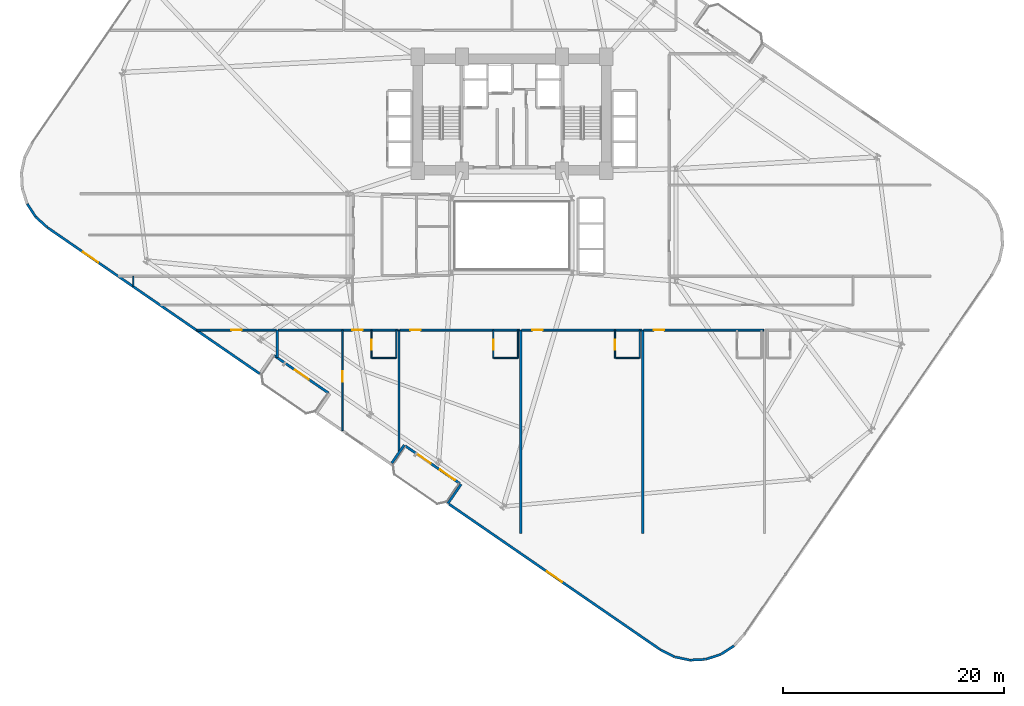
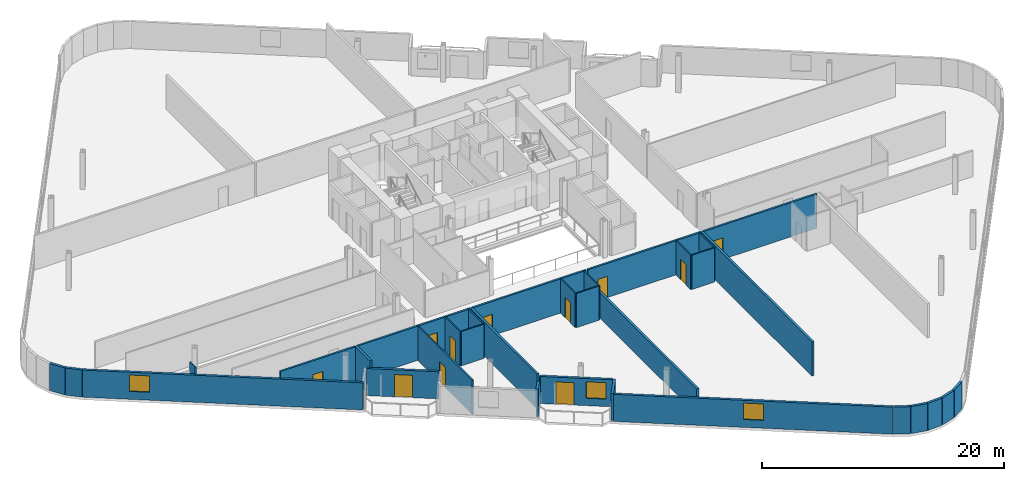
# One storey, part 17 of 24: 33 walls, 11 doors, 3 windows, 14 openings.
"""IFC4 building model written with IfcOpenShell, lengths in metres."""

from ifc_helpers import new_model, si_unit, direction, frame, frame_2d, origin, place, context, subcontext, project, spatial, rectangle, extrude, material, layer, layer_set, type_object, element, fill, save


model = new_model("IFC4")

# Units and contexts
model_context = context("Model", 3, precision=1e-05, world=origin(), true_north=direction((0.0, 1.0)))
body_context = subcontext(model_context, "Body", "Model", "MODEL_VIEW")
ifc_project = project(units=[si_unit("LENGTHUNIT", "METRE"), si_unit("AREAUNIT", "SQUARE_METRE"), si_unit("VOLUMEUNIT", "CUBIC_METRE"), si_unit("PLANEANGLEUNIT", "RADIAN"), si_unit("MASSUNIT", "GRAM", prefix="KILO")], contexts=[model_context])

# Site, building, storey
site_placement = place(None, origin())
site = spatial("IfcSite", under=ifc_project, at=site_placement, CompositionType="ELEMENT")
building_placement = place(site_placement, origin())
building = spatial("IfcBuilding", under=site, at=building_placement, Name="Varnelok Gate Tower", CompositionType="ELEMENT")
storey_placement = place(building_placement, frame((0.0, 0.0, 38.10009765625)))
storey = spatial("IfcBuildingStorey", under=building, at=storey_placement, Name="L08", CompositionType="ELEMENT", Elevation=38.10009765625)

# Wall, opening, door
ifc_material_1 = material(Name="Concrete C45/55", Category="concrete")
ifc_layer_1 = layer(ifc_material_1, 0.219970703125)
ifc_layer_set_1 = layer_set([ifc_layer_1], Name="Concrete C45/55")
wall_type_1 = type_object("IfcWallType", Name="EW-BALC-220", PredefinedType="SOLIDWALL", material=ifc_layer_set_1)
wall_1_placement = place(storey_placement, frame((22.642822265625, 8.667236328125, 0.0), z_axis=(0.0, 0.0, 1.0), x_axis=(-0.823534636215, 0.567265989598, 0.0)))
wall_1 = element("IfcWall", 1, at=wall_1_placement, inside=storey, type_object=wall_type_1, Name="L08 South Terrace Envelope Wall 1", PredefinedType="SOLIDWALL", context=body_context, shape_type="SweptSolid", body=[
    extrude(rectangle(XDim=6.0, YDim=0.219970703125, at=frame_2d((3.0, 0.0))), origin(), (0.0, 0.0, 1.0), 2.72998046875),
])
opening_1_placement = place(wall_1_placement, frame((2.176025390625, 0.0, 0.0)))
opening_1 = element("IfcOpeningElement", 2, at=opening_1_placement, cuts=wall_1, Name="Opening BD-1", PredefinedType="OPENING", context=body_context, shape_type="SweptSolid", body=[
    extrude(rectangle(XDim=1.5, YDim=2.25, at=frame_2d((0.75, 1.125))), frame((0.0, 0.119873046875, 0.0), z_axis=(0.0, -1.0, 0.0), x_axis=(1.0, 0.0, 0.0)), (0.0, 0.0, 1.0), 0.239990234375),
])
ifc_material_2 = material(Name="Anodized Aluminum Alloy 6063-T6", Category="aluminium")
door_type_1 = type_object("IfcDoorType", Name="DR-EXT-BALC1500", OperationType="NOTDEFINED", PredefinedType="DOOR", material=ifc_material_2)
door_1_placement = place(opening_1_placement, origin())
door_1 = element("IfcDoor", 3, at=door_1_placement, inside=storey, type_object=door_type_1, Name="L08 South Balcony Glazed Door 1", OperationType="SINGLE_SWING_RIGHT", OverallHeight=2.25, OverallWidth=1.5, PredefinedType="DOOR", context=body_context, shape_type="SweptSolid", body=[
    extrude(rectangle(XDim=1.5, YDim=2.25, at=frame_2d((0.75, 1.125))), frame((0.0, 0.02490234375, 0.0), z_axis=(0.0, -1.0, 0.0), x_axis=(1.0, 0.0, 0.0)), (0.0, 0.0, 1.0), 0.050048828125),
])
fill(opening_1, door_1)

# Wall, openings, door, window
wall_2_placement = place(storey_placement, frame((34.501708984375, 0.49853515625, 0.0), z_axis=(0.0, 0.0, 1.0), x_axis=(-0.823534636215, 0.567265989598, 0.0)))
wall_2 = element("IfcWall", 4, at=wall_2_placement, inside=storey, type_object=wall_type_1, Name="L08 South Terrace Envelope Wall 2", PredefinedType="SOLIDWALL", context=body_context, shape_type="SweptSolid", body=[
    extrude(rectangle(XDim=6.0, YDim=0.219970703125, at=frame_2d((3.0, 0.0))), origin(), (0.0, 0.0, 1.0), 2.72998046875),
])
opening_2_placement = place(wall_2_placement, frame((3.2119140625, 0.0, 0.0)))
opening_2 = element("IfcOpeningElement", 5, at=opening_2_placement, cuts=wall_2, Name="Opening BD-1", PredefinedType="OPENING", context=body_context, shape_type="SweptSolid", body=[
    extrude(rectangle(XDim=1.5, YDim=2.25, at=frame_2d((0.75, 1.125))), frame((0.0, 0.119873046875, 0.0), z_axis=(0.0, -1.0, 0.0), x_axis=(1.0, 0.0, 0.0)), (0.0, 0.0, 1.0), 0.239990234375),
])
opening_3_placement = place(wall_2_placement, frame((0.550048828125, 0.0, 0.75)))
opening_3 = element("IfcOpeningElement", 6, at=opening_3_placement, cuts=wall_2, Name="Opening WN3", PredefinedType="OPENING", context=body_context, shape_type="SweptSolid", body=[
    extrude(rectangle(XDim=1.64990234375, YDim=1.64990234375, at=frame_2d((0.824951171875, 0.824951171875))), frame((0.0, 0.119873046875, 0.0), z_axis=(0.0, -1.0, 0.0), x_axis=(1.0, 0.0, 0.0)), (0.0, 0.0, 1.0), 0.239990234375),
])
door_2_placement = place(opening_2_placement, origin())
door_2 = element("IfcDoor", 7, at=door_2_placement, inside=storey, type_object=door_type_1, Name="L08 South Balcony Glazed Door 2", OperationType="SINGLE_SWING_LEFT", OverallHeight=2.25, OverallWidth=1.5, PredefinedType="DOOR", context=body_context, shape_type="SweptSolid", body=[
    extrude(rectangle(XDim=1.5, YDim=2.25, at=frame_2d((0.75, 1.125))), frame((0.0, 0.02490234375, 0.0), z_axis=(0.0, -1.0, 0.0), x_axis=(1.0, 0.0, 0.0)), (0.0, 0.0, 1.0), 0.050048828125),
])
fill(opening_2, door_2)
ifc_material_3 = material(Name="Low-E Laminated Double Glazing IGU", Category="glass")
window_type = type_object("IfcWindowType", Name="WN-HTL-1650", PartitioningType="SINGLE_PANEL", PredefinedType="WINDOW", material=ifc_material_3)
window_1_placement = place(opening_3_placement, origin())
window_1 = element("IfcWindow", 8, at=window_1_placement, inside=storey, type_object=window_type, Name="L08 South Vision Window 2.1", OverallHeight=1.64990234375, OverallWidth=1.64990234375, PartitioningType="SINGLE_PANEL", PredefinedType="WINDOW", context=body_context, shape_type="SweptSolid", body=[
    extrude(rectangle(XDim=1.64990234375, YDim=1.64990234375, at=frame_2d((0.824951171875, 0.824951171875))), frame((0.0, 0.030029296875, 0.0), z_axis=(0.0, -1.0, 0.0), x_axis=(1.0, 0.0, 0.0)), (0.0, 0.0, 1.0), 0.06005859375),
])
fill(opening_3, window_1)

# Walls
wall_3_placement = place(storey_placement, frame((-4.580078125, 25.76220703125, 0.0), z_axis=(0.0, 0.0, 1.0), x_axis=(0.543748195851, -0.839248413468, 0.0)))
element("IfcWall", 9, at=wall_3_placement, inside=storey, type_object=wall_type_1, Name="L08 Perimeter Facade Closure Wall 5", PredefinedType="SOLIDWALL", context=body_context, shape_type="SweptSolid", body=[
    extrude(rectangle(XDim=1.4052734375, YDim=0.219970703125, at=frame_2d((0.70263671875, 0.0))), origin(), (0.0, 0.0, 1.0), 2.72998046875),
])
wall_4_placement = place(storey_placement, frame((-3.79736328125, 24.56591796875, 0.0), z_axis=(0.0, 0.0, 1.0), x_axis=(0.742537711837, -0.66980425984, 0.0)))
element("IfcWall", 10, at=wall_4_placement, inside=storey, type_object=wall_type_1, Name="L08 Perimeter Facade Closure Wall 6", PredefinedType="SOLIDWALL", context=body_context, shape_type="SweptSolid", body=[
    extrude(rectangle(XDim=1.4130859375, YDim=0.219970703125, at=frame_2d((0.70654296875, 0.0))), origin(), (0.0, 0.0, 1.0), 2.72998046875),
])

# Wall, opening, window
wall_5_placement = place(storey_placement, frame((-2.7275390625, 23.60498046875, 0.0), z_axis=(0.0, 0.0, 1.0), x_axis=(0.823535075462, -0.567265351915, 0.0)))
wall_5 = element("IfcWall", 11, at=wall_5_placement, inside=storey, type_object=wall_type_1, Name="L08 Perimeter Facade Closure Wall 7", PredefinedType="SOLIDWALL", context=body_context, shape_type="SweptSolid", body=[
    extrude(rectangle(XDim=23.2470703125, YDim=0.219970703125, at=frame_2d((11.62353515625, 0.0))), origin(), (0.0, 0.0, 1.0), 2.72998046875),
])
opening_4_placement = place(wall_5_placement, frame((3.887451171875, 0.0, 0.800048828125)))
opening_4 = element("IfcOpeningElement", 12, at=opening_4_placement, cuts=wall_5, Name="Opening WN3", PredefinedType="OPENING", context=body_context, shape_type="SweptSolid", body=[
    extrude(rectangle(XDim=1.64990234375, YDim=1.64990234375, at=frame_2d((0.824951171875, 0.824951171875))), frame((0.0, 0.119873046875, 0.0), z_axis=(0.0, -1.0, 0.0), x_axis=(1.0, 0.0, 0.0)), (0.0, 0.0, 1.0), 0.239990234375),
])
window_2_placement = place(opening_4_placement, origin())
window_2 = element("IfcWindow", 13, at=window_2_placement, inside=storey, type_object=window_type, Name="L08 Perimeter Vision Window 7", OverallHeight=1.64990234375, OverallWidth=1.64990234375, PartitioningType="SINGLE_PANEL", PredefinedType="WINDOW", context=body_context, shape_type="SweptSolid", body=[
    extrude(rectangle(XDim=1.64990234375, YDim=1.64990234375, at=frame_2d((0.824951171875, 0.824951171875))), frame((0.0, 0.030029296875, 0.0), z_axis=(0.0, -1.0, 0.0), x_axis=(1.0, 0.0, 0.0)), (0.0, 0.0, 1.0), 0.06005859375),
])
fill(opening_4, window_2)

# Walls
wall_6_placement = place(storey_placement, frame((28.34716796875, 2.351806640625, 0.0), z_axis=(0.0, 0.0, 1.0), x_axis=(0.567215821234, 0.823569190865, 0.0)))
element("IfcWall", 14, at=wall_6_placement, inside=storey, type_object=wall_type_1, Name="L08 Perimeter Facade Closure Wall 11", PredefinedType="SOLIDWALL", context=body_context, shape_type="SweptSolid", body=[
    extrude(rectangle(XDim=1.97509765625, YDim=0.219970703125, at=frame_2d((0.987548828125, 0.0))), origin(), (0.0, 0.0, 1.0), 2.72998046875),
])
wall_7_placement = place(storey_placement, frame((34.606201171875, 0.438720703125, 0.0), z_axis=(0.0, 0.0, 1.0), x_axis=(-0.567219383419, -0.823566737474, 0.0)))
element("IfcWall", 15, at=wall_7_placement, inside=storey, type_object=wall_type_1, Name="L08 Perimeter Facade Closure Wall 12", PredefinedType="SOLIDWALL", context=body_context, shape_type="SweptSolid", body=[
    extrude(rectangle(XDim=2.10009765625, YDim=0.219970703125, at=frame_2d((1.050048828125, 0.0))), origin(), (0.0, 0.0, 1.0), 2.72998046875),
])

# Wall, opening, window
wall_8_placement = place(storey_placement, frame((33.517822265625, -1.36181640625, 0.0), z_axis=(0.0, 0.0, 1.0), x_axis=(0.82353935489, -0.567259139148, 0.0)))
wall_8 = element("IfcWall", 16, at=wall_8_placement, inside=storey, type_object=wall_type_1, Name="L08 Perimeter Facade Closure Wall 13", PredefinedType="SOLIDWALL", context=body_context, shape_type="SweptSolid", body=[
    extrude(rectangle(XDim=23.14697265625, YDim=0.219970703125, at=frame_2d((11.573486328125, 0.0))), origin(), (0.0, 0.0, 1.0), 2.72998046875),
])
opening_5_placement = place(wall_8_placement, frame((10.74853515625, 0.0, 0.800048828125)))
opening_5 = element("IfcOpeningElement", 17, at=opening_5_placement, cuts=wall_8, Name="Opening WN3", PredefinedType="OPENING", context=body_context, shape_type="SweptSolid", body=[
    extrude(rectangle(XDim=1.64990234375, YDim=1.64990234375, at=frame_2d((0.824951171875, 0.824951171875))), frame((0.0, 0.119873046875, 0.0), z_axis=(0.0, -1.0, 0.0), x_axis=(1.0, 0.0, 0.0)), (0.0, 0.0, 1.0), 0.239990234375),
])
window_3_placement = place(opening_5_placement, origin())
window_3 = element("IfcWindow", 18, at=window_3_placement, inside=storey, type_object=window_type, Name="L08 Perimeter Vision Window 13", OverallHeight=1.64990234375, OverallWidth=1.64990234375, PartitioningType="SINGLE_PANEL", PredefinedType="WINDOW", context=body_context, shape_type="SweptSolid", body=[
    extrude(rectangle(XDim=1.64990234375, YDim=1.64990234375, at=frame_2d((0.824951171875, 0.824951171875))), frame((0.0, 0.030029296875, 0.0), z_axis=(0.0, -1.0, 0.0), x_axis=(1.0, 0.0, 0.0)), (0.0, 0.0, 1.0), 0.06005859375),
])
fill(opening_5, window_3)

# Walls
wall_9_placement = place(storey_placement, frame((52.602783203125, -14.503662109375, 0.0), z_axis=(0.0, 0.0, 1.0), x_axis=(0.89052335693, -0.45493752402, 0.0)))
element("IfcWall", 19, at=wall_9_placement, inside=storey, type_object=wall_type_1, Name="L08 Perimeter Facade Closure Wall 14", PredefinedType="SOLIDWALL", context=body_context, shape_type="SweptSolid", body=[
    extrude(rectangle(XDim=1.4130859375, YDim=0.219970703125, at=frame_2d((0.70654296875, 0.0))), origin(), (0.0, 0.0, 1.0), 2.72998046875),
])
for number, where, z_axis, x_axis, name in (
    (20, (53.8857421875, -15.15185546875, 0.0), (0.0, 0.0, 1.0), (0.977952168511, -0.208829011645, 0.0), "L08 Perimeter Facade Closure Wall 15"),
    (21, (55.284912109375, -15.444091796875, 0.0), (0.0, 0.0, 1.0), (0.998685611917, 0.051254741739, 0.0), "L08 Perimeter Facade Closure Wall 16"),
    (22, (56.712158203125, -15.364501953125, 0.0), (0.0, 0.0, 1.0), (0.95132472924, 0.308190297603, 0.0), "L08 Perimeter Facade Closure Wall 17"),
    (23, (58.070068359375, -14.91796875, 0.0), (0.0, 0.0, 1.0), (0.839248413468, 0.543748195851, 0.0), "L08 Perimeter Facade Closure Wall 18"),
):
    element("IfcWall", number, at=place(storey_placement, frame(where, z_axis=z_axis, x_axis=x_axis)), inside=storey, type_object=wall_type_1, Name=name, PredefinedType="SOLIDWALL", context=body_context, shape_type="SweptSolid", body=[
        extrude(rectangle(XDim=1.4052734375, YDim=0.219970703125, at=frame_2d((0.70263671875, 0.0))), origin(), (0.0, 0.0, 1.0), 2.72998046875),
    ])

# Wall, opening, door
ifc_material_4 = material(Name="Gypsum Plasterboard Acoustic Partition", Category="gypsum")
ifc_layer_2 = layer(ifc_material_4, 0.179931640625)
ifc_layer_set_2 = layer_set([ifc_layer_2], Name="Gypsum Plasterboard Acoustic Partition")
wall_type_2 = type_object("IfcWallType", Name="PW-CORR-180", PredefinedType="PARTITIONING", material=ifc_layer_set_2)
wall_10_placement = place(storey_placement, frame((10.743896484375, 14.35009765625, 0.0), z_axis=(0.0, 0.0, 1.0), x_axis=(1.0, 0.0, 0.0)))
wall_10 = element("IfcWall", 24, at=wall_10_placement, inside=storey, type_object=wall_type_2, Name="Interior Partition", PredefinedType="PARTITIONING", context=body_context, shape_type="SweptSolid", body=[
    extrude(rectangle(XDim=7.176025390625, YDim=0.179931640625, at=frame_2d((3.587890625, 0.0))), origin(), (0.0, 0.0, 1.0), 3.449951171875),
])
opening_6_placement = place(wall_10_placement, frame((3.113037109375, 0.0, 0.0)))
opening_6 = element("IfcOpeningElement", 25, at=opening_6_placement, cuts=wall_10, Name="Opening D-I2", PredefinedType="OPENING", context=body_context, shape_type="SweptSolid", body=[
    extrude(rectangle(XDim=0.949951171875, YDim=2.050048828125, at=frame_2d((0.47509765625, 1.02490234375))), frame((0.0, 0.099853515625, 0.0), z_axis=(0.0, -1.0, 0.0), x_axis=(1.0, 0.0, 0.0)), (0.0, 0.0, 1.0), 0.199951171875),
])
ifc_material_5 = material(Name="Engineered Hardwood Timber", Category="wood")
door_type_2 = type_object("IfcDoorType", Name="DR-INT-950", OperationType="NOTDEFINED", PredefinedType="DOOR", material=ifc_material_5)
door_3_placement = place(opening_6_placement, origin())
door_3 = element("IfcDoor", 26, at=door_3_placement, inside=storey, type_object=door_type_2, Name="L08 Wellness Spa Lounge Door", OperationType="SINGLE_SWING_LEFT", OverallHeight=2.050048828125, OverallWidth=0.949951171875, PredefinedType="DOOR", context=body_context, shape_type="SweptSolid", body=[
    extrude(rectangle(XDim=0.949951171875, YDim=2.050048828125, at=frame_2d((0.47509765625, 1.02490234375))), frame((0.0, 0.02490234375, 0.0), z_axis=(0.0, -1.0, 0.0), x_axis=(1.0, 0.0, 0.0)), (0.0, 0.0, 1.0), 0.050048828125),
])
fill(opening_6, door_3)

wall_11_placement = place(storey_placement, frame((18.080078125, 14.35009765625, 0.0), z_axis=(0.0, 0.0, 1.0), x_axis=(1.0, 0.0, 0.0)))
wall_11 = element("IfcWall", 27, at=wall_11_placement, inside=storey, type_object=wall_type_2, Name="Interior Partition", PredefinedType="PARTITIONING", context=body_context, shape_type="SweptSolid", body=[
    extrude(rectangle(XDim=10.83984375, YDim=0.179931640625, at=frame_2d((5.419921875, 0.0))), origin(), (0.0, 0.0, 1.0), 3.449951171875),
])
opening_7_placement = place(wall_11_placement, frame((6.679931640625, 0.0, 0.0)))
opening_7 = element("IfcOpeningElement", 28, at=opening_7_placement, cuts=wall_11, Name="Opening D-HT", PredefinedType="OPENING", context=body_context, shape_type="SweptSolid", body=[
    extrude(rectangle(XDim=0.949951171875, YDim=2.14990234375, at=frame_2d((0.47509765625, 1.074951171875))), frame((0.0, 0.099853515625, 0.0), z_axis=(0.0, -1.0, 0.0), x_axis=(1.0, 0.0, 0.0)), (0.0, 0.0, 1.0), 0.199951171875),
])
door_type_3 = type_object("IfcDoorType", Name="DR-HTL-950", OperationType="NOTDEFINED", PredefinedType="DOOR", material=ifc_material_5)
door_4_placement = place(opening_7_placement, origin())
door_4 = element("IfcDoor", 29, at=door_4_placement, inside=storey, type_object=door_type_3, Name="L08 Guest Room 02 Entrance Door", OperationType="SINGLE_SWING_LEFT", OverallHeight=2.14990234375, OverallWidth=0.949951171875, PredefinedType="DOOR", context=body_context, shape_type="SweptSolid", body=[
    extrude(rectangle(XDim=0.949951171875, YDim=2.14990234375, at=frame_2d((0.47509765625, 1.074951171875))), frame((0.0, 0.02490234375, 0.0), z_axis=(0.0, -1.0, 0.0), x_axis=(1.0, 0.0, 0.0)), (0.0, 0.0, 1.0), 0.050048828125),
])
fill(opening_7, door_4)

wall_12_placement = place(storey_placement, frame((29.080078125, 14.35009765625, 0.0), z_axis=(0.0, 0.0, 1.0), x_axis=(1.0, 0.0, 0.0)))
wall_12 = element("IfcWall", 30, at=wall_12_placement, inside=storey, type_object=wall_type_2, Name="Interior Partition", PredefinedType="PARTITIONING", context=body_context, shape_type="SweptSolid", body=[
    extrude(rectangle(XDim=10.83984375, YDim=0.179931640625, at=frame_2d((5.419921875, 0.0))), origin(), (0.0, 0.0, 1.0), 3.449951171875),
])
opening_8_placement = place(wall_12_placement, frame((0.926025390625, 0.0, 0.0)))
opening_8 = element("IfcOpeningElement", 31, at=opening_8_placement, cuts=wall_12, Name="Opening D-HT", PredefinedType="OPENING", context=body_context, shape_type="SweptSolid", body=[
    extrude(rectangle(XDim=0.949951171875, YDim=2.14990234375, at=frame_2d((0.47509765625, 1.074951171875))), frame((0.0, 0.099853515625, 0.0), z_axis=(0.0, -1.0, 0.0), x_axis=(1.0, 0.0, 0.0)), (0.0, 0.0, 1.0), 0.199951171875),
])
door_5_placement = place(opening_8_placement, origin())
door_5 = element("IfcDoor", 32, at=door_5_placement, inside=storey, type_object=door_type_3, Name="L08 Guest Room 03 Entrance Door", OperationType="SINGLE_SWING_RIGHT", OverallHeight=2.14990234375, OverallWidth=0.949951171875, PredefinedType="DOOR", context=body_context, shape_type="SweptSolid", body=[
    extrude(rectangle(XDim=0.949951171875, YDim=2.14990234375, at=frame_2d((0.47509765625, 1.074951171875))), frame((0.0, 0.02490234375, 0.0), z_axis=(0.0, -1.0, 0.0), x_axis=(1.0, 0.0, 0.0)), (0.0, 0.0, 1.0), 0.050048828125),
])
fill(opening_8, door_5)

wall_13_placement = place(storey_placement, frame((40.080078125, 14.35009765625, 0.0), z_axis=(0.0, 0.0, 1.0), x_axis=(1.0, 0.0, 0.0)))
wall_13 = element("IfcWall", 33, at=wall_13_placement, inside=storey, type_object=wall_type_2, Name="Interior Partition", PredefinedType="PARTITIONING", context=body_context, shape_type="SweptSolid", body=[
    extrude(rectangle(XDim=10.83984375, YDim=0.179931640625, at=frame_2d((5.419921875, 0.0))), origin(), (0.0, 0.0, 1.0), 3.449951171875),
])
opening_9_placement = place(wall_13_placement, frame((0.926025390625, 0.0, 0.0)))
opening_9 = element("IfcOpeningElement", 34, at=opening_9_placement, cuts=wall_13, Name="Opening D-HT", PredefinedType="OPENING", context=body_context, shape_type="SweptSolid", body=[
    extrude(rectangle(XDim=0.949951171875, YDim=2.14990234375, at=frame_2d((0.47509765625, 1.074951171875))), frame((0.0, 0.099853515625, 0.0), z_axis=(0.0, -1.0, 0.0), x_axis=(1.0, 0.0, 0.0)), (0.0, 0.0, 1.0), 0.199951171875),
])
door_6_placement = place(opening_9_placement, origin())
door_6 = element("IfcDoor", 35, at=door_6_placement, inside=storey, type_object=door_type_3, Name="L08 Guest Room 04 Entrance Door", OperationType="SINGLE_SWING_LEFT", OverallHeight=2.14990234375, OverallWidth=0.949951171875, PredefinedType="DOOR", context=body_context, shape_type="SweptSolid", body=[
    extrude(rectangle(XDim=0.949951171875, YDim=2.14990234375, at=frame_2d((0.47509765625, 1.074951171875))), frame((0.0, 0.02490234375, 0.0), z_axis=(0.0, -1.0, 0.0), x_axis=(1.0, 0.0, 0.0)), (0.0, 0.0, 1.0), 0.050048828125),
])
fill(opening_9, door_6)

wall_14_placement = place(storey_placement, frame((51.080078125, 14.35009765625, 0.0), z_axis=(0.0, 0.0, 1.0), x_axis=(1.0, 0.0, 0.0)))
wall_14 = element("IfcWall", 36, at=wall_14_placement, inside=storey, type_object=wall_type_2, Name="Interior Partition", PredefinedType="PARTITIONING", context=body_context, shape_type="SweptSolid", body=[
    extrude(rectangle(XDim=10.83984375, YDim=0.179931640625, at=frame_2d((5.419921875, 0.0))), origin(), (0.0, 0.0, 1.0), 3.449951171875),
])
opening_10_placement = place(wall_14_placement, frame((0.926025390625, 0.0, 0.0)))
opening_10 = element("IfcOpeningElement", 37, at=opening_10_placement, cuts=wall_14, Name="Opening D-HT", PredefinedType="OPENING", context=body_context, shape_type="SweptSolid", body=[
    extrude(rectangle(XDim=0.949951171875, YDim=2.14990234375, at=frame_2d((0.47509765625, 1.074951171875))), frame((0.0, 0.099853515625, 0.0), z_axis=(0.0, -1.0, 0.0), x_axis=(1.0, 0.0, 0.0)), (0.0, 0.0, 1.0), 0.199951171875),
])
door_7_placement = place(opening_10_placement, origin())
door_7 = element("IfcDoor", 38, at=door_7_placement, inside=storey, type_object=door_type_3, Name="L08 Guest Room 05 Entrance Door", OperationType="SINGLE_SWING_RIGHT", OverallHeight=2.14990234375, OverallWidth=0.949951171875, PredefinedType="DOOR", context=body_context, shape_type="SweptSolid", body=[
    extrude(rectangle(XDim=0.949951171875, YDim=2.14990234375, at=frame_2d((0.47509765625, 1.074951171875))), frame((0.0, 0.02490234375, 0.0), z_axis=(0.0, -1.0, 0.0), x_axis=(1.0, 0.0, 0.0)), (0.0, 0.0, 1.0), 0.050048828125),
])
fill(opening_10, door_7)

# Wall
ifc_layer_3 = layer(ifc_material_4, 0.114990234375)
ifc_layer_set_3 = layer_set([ifc_layer_3], Name="Gypsum Plasterboard Acoustic Partition")
wall_type_3 = type_object("IfcWallType", Name="PW-ENS-125", PredefinedType="PARTITIONING", material=ifc_layer_set_3)
wall_15_placement = place(storey_placement, frame((26.550048828125, 11.830078125, 0.0), z_axis=(0.0, 0.0, 1.0), x_axis=(1.0, 0.0, 0.0)))
element("IfcWall", 39, at=wall_15_placement, inside=storey, type_object=wall_type_3, Name="Interior Partition", PredefinedType="PARTITIONING", context=body_context, shape_type="SweptSolid", body=[
    extrude(rectangle(XDim=2.14990234375, YDim=0.114990234375, at=frame_2d((1.074951171875, 0.0))), origin(), (0.0, 0.0, 1.0), 3.449951171875),
])

# Wall, opening, door
wall_16_placement = place(storey_placement, frame((26.510009765625, 11.830078125, 0.0), z_axis=(0.0, 0.0, 1.0), x_axis=(0.0, 1.0, 0.0)))
wall_16 = element("IfcWall", 40, at=wall_16_placement, inside=storey, type_object=wall_type_3, Name="Interior Partition", PredefinedType="PARTITIONING", context=body_context, shape_type="SweptSolid", body=[
    extrude(rectangle(XDim=2.52001953125, YDim=0.114990234375, at=frame_2d((1.260009765625, 0.0))), origin(), (0.0, 0.0, 1.0), 3.449951171875),
])
opening_11_placement = place(wall_16_placement, frame((0.760009765625, 0.0, 0.0)))
opening_11 = element("IfcOpeningElement", 41, at=opening_11_placement, cuts=wall_16, Name="Opening D-WC", PredefinedType="OPENING", context=body_context, shape_type="SweptSolid", body=[
    extrude(rectangle(XDim=0.89990234375, YDim=2.050048828125, at=frame_2d((0.449951171875, 1.02490234375))), frame((0.0, 0.0673828125, 0.0), z_axis=(0.0, -1.0, 0.0), x_axis=(1.0, 0.0, 0.0)), (0.0, 0.0, 1.0), 0.135009765625),
])
door_type_4 = type_object("IfcDoorType", Name="DR-BATH-900", OperationType="NOTDEFINED", PredefinedType="DOOR", material=ifc_material_5)
door_8_placement = place(opening_11_placement, origin())
door_8 = element("IfcDoor", 42, at=door_8_placement, inside=storey, type_object=door_type_4, Name="L08 Guest En-Suite 02 Door", OperationType="SINGLE_SWING_RIGHT", OverallHeight=2.050048828125, OverallWidth=0.89990234375, PredefinedType="DOOR", context=body_context, shape_type="SweptSolid", body=[
    extrude(rectangle(XDim=0.89990234375, YDim=2.050048828125, at=frame_2d((0.449951171875, 1.02490234375))), frame((0.0, 0.02490234375, 0.0), z_axis=(0.0, -1.0, 0.0), x_axis=(1.0, 0.0, 0.0)), (0.0, 0.0, 1.0), 0.050048828125),
])
fill(opening_11, door_8)

# Walls
wall_17_placement = place(storey_placement, frame((28.739990234375, 11.830078125, 0.0), z_axis=(0.0, 0.0, 1.0), x_axis=(0.0, 1.0, 0.0)))
element("IfcWall", 43, at=wall_17_placement, inside=storey, type_object=wall_type_3, Name="Interior Partition", PredefinedType="PARTITIONING", context=body_context, shape_type="SweptSolid", body=[
    extrude(rectangle(XDim=2.52001953125, YDim=0.114990234375, at=frame_2d((1.260009765625, 0.0))), origin(), (0.0, 0.0, 1.0), 3.449951171875),
])
wall_18_placement = place(storey_placement, frame((37.550048828125, 11.830078125, 0.0), z_axis=(0.0, 0.0, 1.0), x_axis=(1.0, 0.0, 0.0)))
element("IfcWall", 44, at=wall_18_placement, inside=storey, type_object=wall_type_3, Name="Interior Partition", PredefinedType="PARTITIONING", context=body_context, shape_type="SweptSolid", body=[
    extrude(rectangle(XDim=2.14990234375, YDim=0.114990234375, at=frame_2d((1.074951171875, 0.0))), origin(), (0.0, 0.0, 1.0), 3.449951171875),
])

# Wall, opening, door
wall_19_placement = place(storey_placement, frame((37.510009765625, 11.830078125, 0.0), z_axis=(0.0, 0.0, 1.0), x_axis=(0.0, 1.0, 0.0)))
wall_19 = element("IfcWall", 45, at=wall_19_placement, inside=storey, type_object=wall_type_3, Name="Interior Partition", PredefinedType="PARTITIONING", context=body_context, shape_type="SweptSolid", body=[
    extrude(rectangle(XDim=2.52001953125, YDim=0.114990234375, at=frame_2d((1.260009765625, 0.0))), origin(), (0.0, 0.0, 1.0), 3.449951171875),
])
opening_12_placement = place(wall_19_placement, frame((0.760009765625, 0.0, 0.0)))
opening_12 = element("IfcOpeningElement", 46, at=opening_12_placement, cuts=wall_19, Name="Opening D-WC", PredefinedType="OPENING", context=body_context, shape_type="SweptSolid", body=[
    extrude(rectangle(XDim=0.89990234375, YDim=2.050048828125, at=frame_2d((0.449951171875, 1.02490234375))), frame((0.0, 0.0673828125, 0.0), z_axis=(0.0, -1.0, 0.0), x_axis=(1.0, 0.0, 0.0)), (0.0, 0.0, 1.0), 0.135009765625),
])
door_9_placement = place(opening_12_placement, origin())
door_9 = element("IfcDoor", 47, at=door_9_placement, inside=storey, type_object=door_type_4, Name="L08 Guest En-Suite 03 Door", OperationType="SINGLE_SWING_RIGHT", OverallHeight=2.050048828125, OverallWidth=0.89990234375, PredefinedType="DOOR", context=body_context, shape_type="SweptSolid", body=[
    extrude(rectangle(XDim=0.89990234375, YDim=2.050048828125, at=frame_2d((0.449951171875, 1.02490234375))), frame((0.0, 0.02490234375, 0.0), z_axis=(0.0, -1.0, 0.0), x_axis=(1.0, 0.0, 0.0)), (0.0, 0.0, 1.0), 0.050048828125),
])
fill(opening_12, door_9)

# Walls
wall_20_placement = place(storey_placement, frame((39.739990234375, 11.830078125, 0.0), z_axis=(0.0, 0.0, 1.0), x_axis=(0.0, 1.0, 0.0)))
element("IfcWall", 48, at=wall_20_placement, inside=storey, type_object=wall_type_3, Name="Interior Partition", PredefinedType="PARTITIONING", context=body_context, shape_type="SweptSolid", body=[
    extrude(rectangle(XDim=2.52001953125, YDim=0.114990234375, at=frame_2d((1.260009765625, 0.0))), origin(), (0.0, 0.0, 1.0), 3.449951171875),
])
wall_21_placement = place(storey_placement, frame((48.550048828125, 11.830078125, 0.0), z_axis=(0.0, 0.0, 1.0), x_axis=(1.0, 0.0, 0.0)))
element("IfcWall", 49, at=wall_21_placement, inside=storey, type_object=wall_type_3, Name="Interior Partition", PredefinedType="PARTITIONING", context=body_context, shape_type="SweptSolid", body=[
    extrude(rectangle(XDim=2.14990234375, YDim=0.114990234375, at=frame_2d((1.074951171875, 0.0))), origin(), (0.0, 0.0, 1.0), 3.449951171875),
])

# Wall, opening, door
wall_22_placement = place(storey_placement, frame((48.510009765625, 11.830078125, 0.0), z_axis=(0.0, 0.0, 1.0), x_axis=(0.0, 1.0, 0.0)))
wall_22 = element("IfcWall", 50, at=wall_22_placement, inside=storey, type_object=wall_type_3, Name="Interior Partition", PredefinedType="PARTITIONING", context=body_context, shape_type="SweptSolid", body=[
    extrude(rectangle(XDim=2.52001953125, YDim=0.114990234375, at=frame_2d((1.260009765625, 0.0))), origin(), (0.0, 0.0, 1.0), 3.449951171875),
])
opening_13_placement = place(wall_22_placement, frame((0.760009765625, 0.0, 0.0)))
opening_13 = element("IfcOpeningElement", 51, at=opening_13_placement, cuts=wall_22, Name="Opening D-WC", PredefinedType="OPENING", context=body_context, shape_type="SweptSolid", body=[
    extrude(rectangle(XDim=0.89990234375, YDim=2.050048828125, at=frame_2d((0.449951171875, 1.02490234375))), frame((0.0, 0.0673828125, 0.0), z_axis=(0.0, -1.0, 0.0), x_axis=(1.0, 0.0, 0.0)), (0.0, 0.0, 1.0), 0.135009765625),
])
door_10_placement = place(opening_13_placement, origin())
door_10 = element("IfcDoor", 52, at=door_10_placement, inside=storey, type_object=door_type_4, Name="L08 Guest En-Suite 04 Door", OperationType="SINGLE_SWING_RIGHT", OverallHeight=2.050048828125, OverallWidth=0.89990234375, PredefinedType="DOOR", context=body_context, shape_type="SweptSolid", body=[
    extrude(rectangle(XDim=0.89990234375, YDim=2.050048828125, at=frame_2d((0.449951171875, 1.02490234375))), frame((0.0, 0.02490234375, 0.0), z_axis=(0.0, -1.0, 0.0), x_axis=(1.0, 0.0, 0.0)), (0.0, 0.0, 1.0), 0.050048828125),
])
fill(opening_13, door_10)

# Walls
wall_23_placement = place(storey_placement, frame((50.739990234375, 11.830078125, 0.0), z_axis=(0.0, 0.0, 1.0), x_axis=(0.0, 1.0, 0.0)))
element("IfcWall", 53, at=wall_23_placement, inside=storey, type_object=wall_type_3, Name="Interior Partition", PredefinedType="PARTITIONING", context=body_context, shape_type="SweptSolid", body=[
    extrude(rectangle(XDim=2.52001953125, YDim=0.114990234375, at=frame_2d((1.260009765625, 0.0))), origin(), (0.0, 0.0, 1.0), 3.449951171875),
])
ifc_layer_4 = layer(ifc_material_4, 0.125)
ifc_layer_set_4 = layer_set([ifc_layer_4], Name="Gypsum Plasterboard Acoustic Partition")
wall_type_4 = type_object("IfcWallType", Name="PW-PART-125", PredefinedType="PARTITIONING", material=ifc_layer_set_4)
wall_24_placement = place(storey_placement, frame((5.0, 18.306396484375, 0.0), z_axis=(0.0, 0.0, 1.0), x_axis=(0.0, 1.0, 0.0)))
element("IfcWall", 54, at=wall_24_placement, inside=storey, type_object=wall_type_4, Name="Interior Partition", PredefinedType="PARTITIONING", context=body_context, shape_type="SweptSolid", body=[
    extrude(rectangle(XDim=0.93359375, YDim=0.125, at=frame_2d((0.466796875, 0.0))), origin(), (0.0, 0.0, 1.0), 3.449951171875),
])

# Wall, opening, door
wall_25_placement = place(storey_placement, frame((23.89990234375, 5.28759765625, 0.0), z_axis=(0.0, 0.0, 1.0), x_axis=(0.0, 1.0, 0.0)))
wall_25 = element("IfcWall", 55, at=wall_25_placement, inside=storey, type_object=wall_type_4, Name="Interior Partition", PredefinedType="PARTITIONING", context=body_context, shape_type="SweptSolid", body=[
    extrude(rectangle(XDim=9.0625, YDim=0.125, at=frame_2d((4.53125, 0.0))), origin(), (0.0, 0.0, 1.0), 3.449951171875),
])
opening_14_placement = place(wall_25_placement, frame((4.4248046875, 0.0, 0.0)))
opening_14 = element("IfcOpeningElement", 56, at=opening_14_placement, cuts=wall_25, Name="Opening D-I3", PredefinedType="OPENING", context=body_context, shape_type="SweptSolid", body=[
    extrude(rectangle(XDim=0.919921875, YDim=2.050048828125, at=frame_2d((0.4599609375, 1.02490234375))), frame((0.0, 0.072509765625, 0.0), z_axis=(0.0, -1.0, 0.0), x_axis=(1.0, 0.0, 0.0)), (0.0, 0.0, 1.0), 0.14501953125),
])
door_type_5 = type_object("IfcDoorType", Name="DR-INT-920", OperationType="NOTDEFINED", PredefinedType="DOOR", material=ifc_material_5)
door_11_placement = place(opening_14_placement, origin())
door_11 = element("IfcDoor", 57, at=door_11_placement, inside=storey, type_object=door_type_5, Name="L08 Suite Bedroom Door 2", OperationType="SINGLE_SWING_LEFT", OverallHeight=2.050048828125, OverallWidth=0.919921875, PredefinedType="DOOR", context=body_context, shape_type="SweptSolid", body=[
    extrude(rectangle(XDim=0.919921875, YDim=2.050048828125, at=frame_2d((0.4599609375, 1.02490234375))), frame((0.0, 0.02490234375, 0.0), z_axis=(0.0, -1.0, 0.0), x_axis=(1.0, 0.0, 0.0)), (0.0, 0.0, 1.0), 0.050048828125),
])
fill(opening_14, door_11)

# Walls
ifc_layer_5 = layer(ifc_material_4, 0.205078125)
ifc_layer_set_5 = layer_set([ifc_layer_5], Name="Gypsum Plasterboard Acoustic Partition")
wall_type_5 = type_object("IfcWallType", Name="PW-PARTY-200", PredefinedType="PARTITIONING", material=ifc_layer_set_5)
wall_26_placement = place(storey_placement, frame((18.0, 11.901611328125, 0.0), z_axis=(0.0, 0.0, 1.0), x_axis=(0.0, 1.0, 0.0)))
element("IfcWall", 58, at=wall_26_placement, inside=storey, type_object=wall_type_5, Name="L08 South Party Wall 1", PredefinedType="PARTITIONING", context=body_context, shape_type="SweptSolid", body=[
    extrude(rectangle(XDim=2.448486328125, YDim=0.205078125, at=frame_2d((1.22412109375, 0.0))), origin(), (0.0, 0.0, 1.0), 3.449951171875),
])
wall_27_placement = place(storey_placement, frame((29.0, 3.335205078125, 0.0), z_axis=(0.0, 0.0, 1.0), x_axis=(0.0, 1.0, 0.0)))
element("IfcWall", 59, at=wall_27_placement, inside=storey, type_object=wall_type_5, Name="L08 South Party Wall 2", PredefinedType="PARTITIONING", context=body_context, shape_type="SweptSolid", body=[
    extrude(rectangle(XDim=11.014892578125, YDim=0.205078125, at=frame_2d((5.50732421875, 0.0))), origin(), (0.0, 0.0, 1.0), 3.449951171875),
])
wall_28_placement = place(storey_placement, frame((40.0, -4.0, 0.0), z_axis=(0.0, 0.0, 1.0), x_axis=(0.0, 1.0, 0.0)))
element("IfcWall", 60, at=wall_28_placement, inside=storey, type_object=wall_type_5, Name="L08 South Party Wall 3", PredefinedType="PARTITIONING", context=body_context, shape_type="SweptSolid", body=[
    extrude(rectangle(XDim=18.35009765625, YDim=0.205078125, at=frame_2d((9.175048828125, 0.0))), origin(), (0.0, 0.0, 1.0), 2.579833984375),
])
wall_29_placement = place(storey_placement, frame((51.0, -4.0, 0.0), z_axis=(0.0, 0.0, 1.0), x_axis=(0.0, 1.0, 0.0)))
element("IfcWall", 61, at=wall_29_placement, inside=storey, type_object=wall_type_5, Name="L08 South Party Wall 4", PredefinedType="PARTITIONING", context=body_context, shape_type="SweptSolid", body=[
    extrude(rectangle(XDim=18.35009765625, YDim=0.205078125, at=frame_2d((9.175048828125, 0.0))), origin(), (0.0, 0.0, 1.0), 3.449951171875),
])

save(model, "model.ifc")
